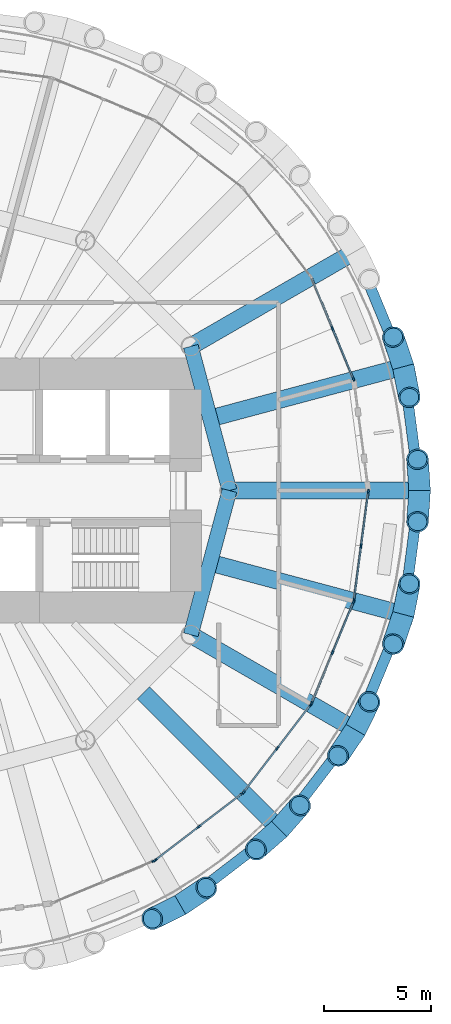
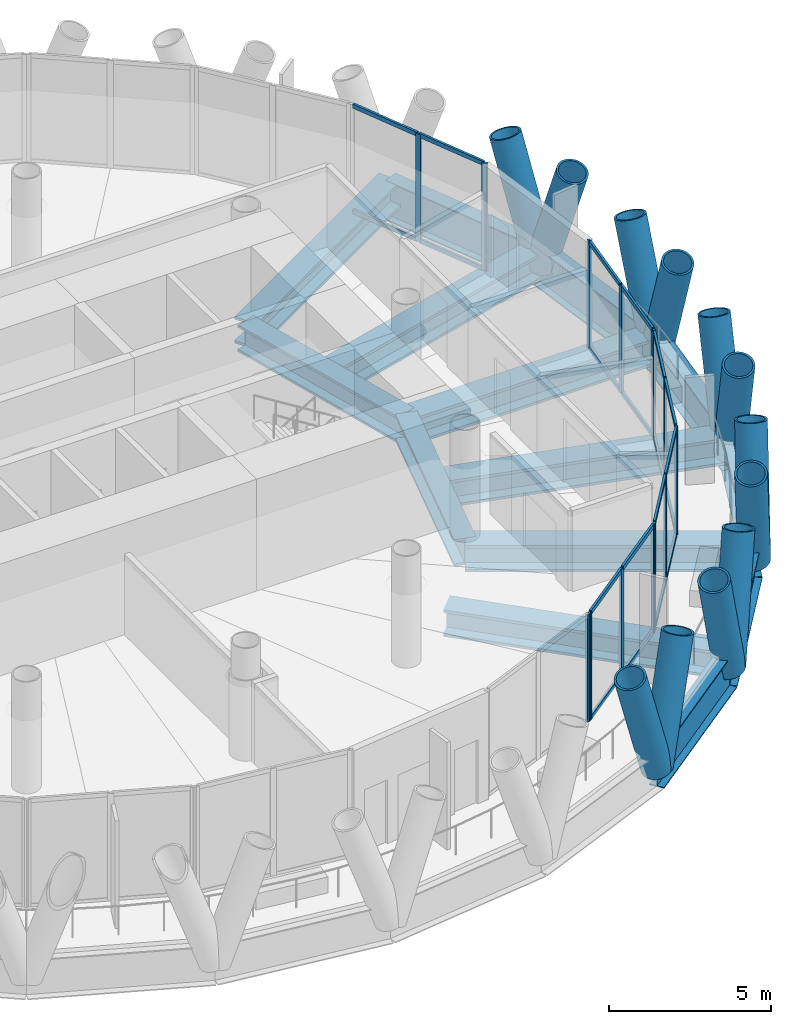
# One storey, part 4 of 13: 47 members, 14 beams, 6 elements without a shape of their own.
"""IFC4 building model written with IfcOpenShell, lengths in metres."""

from ifc_helpers import new_model, si_unit, direction, frame, origin, origin_2d, place, context, subcontext, project, spatial, rectangle, hollow_circle, i_section, extrude, material, material_profile, profile_set, type_object, element, aggregate, save


model = new_model("IFC4")

# Units and contexts
model_context = context("Model", 3, precision=1e-05, world=origin(), true_north=direction((0.0, 1.0)))
body_context = subcontext(model_context, "Body", "Model", "MODEL_VIEW")
ifc_project = project(units=[si_unit("LENGTHUNIT", "METRE"), si_unit("AREAUNIT", "SQUARE_METRE"), si_unit("VOLUMEUNIT", "CUBIC_METRE"), si_unit("PLANEANGLEUNIT", "RADIAN"), si_unit("MASSUNIT", "GRAM", prefix="KILO")], contexts=[model_context])

# Site, building, storey
site_placement = place(None, origin())
site = spatial("IfcSite", under=ifc_project, at=site_placement, CompositionType="ELEMENT")
building_placement = place(site_placement, origin())
building = spatial("IfcBuilding", under=site, at=building_placement, Name="Qaws Media Tower", CompositionType="ELEMENT")
storey_placement = place(building_placement, frame((0.0, 0.0, 244.39990234375)))
storey = spatial("IfcBuildingStorey", under=building, at=storey_placement, Name="L56", CompositionType="ELEMENT", Elevation=244.39990234375)

# Curtain wall, members
ifc_material_1 = material(Name="Aluminium and clear glass", Category="aluminium")
curtain_wall_type = type_object("IfcCurtainWallType", Name="Unitised curtain wall CW-C", PredefinedType="NOTDEFINED", material=ifc_material_1)
curtain_wall_1_placement = place(storey_placement, origin())
curtain_wall_1 = element("IfcCurtainWall", 1, at=curtain_wall_1_placement, inside=storey, type_object=curtain_wall_type, Name="CWC curtain wall L56-02", PredefinedType="NOTDEFINED")
ifc_material_2 = material(Name="Aluminium mullion", Category="aluminium")
ifc_material_profile_1 = material_profile(ifc_material_2, rectangle(XDim=0.080078125, YDim=0.199951171875, at=origin_2d()), Name="80x200")
ifc_profile_set_1 = profile_set([ifc_material_profile_1], Name="Aluminium mullion")
member_type_1 = type_object("IfcMemberType", Name="Curtain wall mullion 80x200", PredefinedType="MULLION", material=ifc_profile_set_1)
member_1_placement = place(storey_placement, frame((79.30322265625, 55.21337890625, 0.0), z_axis=(0.0, 0.0, 1.0), x_axis=(-0.923879492524, -0.382683528904, 0.0)))
member_1 = element("IfcMember", 2, at=member_1_placement, type_object=member_type_1, Name="CWC mullion 1", PredefinedType="MULLION", context=body_context, shape_type="SweptSolid", body=[
    extrude(rectangle(XDim=0.080078125, YDim=0.199951171875, at=origin_2d()), origin(), (0.0, 0.0, 1.0), 4.0400390625),
])
member_2_placement = place(storey_placement, frame((78.319580078125, 57.588134765625, 0.0), z_axis=(0.0, 0.0, 1.0), x_axis=(-0.923879492524, -0.382683528904, 0.0)))
member_2 = element("IfcMember", 3, at=member_2_placement, type_object=member_type_1, Name="CWC mullion 2", PredefinedType="MULLION", context=body_context, shape_type="SweptSolid", body=[
    extrude(rectangle(XDim=0.080078125, YDim=0.199951171875, at=origin_2d()), origin(), (0.0, 0.0, 1.0), 4.0400390625),
])

# Curtain wall, member
curtain_wall_2_placement = place(storey_placement, origin())
curtain_wall_2 = element("IfcCurtainWall", 4, at=curtain_wall_2_placement, inside=storey, type_object=curtain_wall_type, Name="CWC curtain wall L56-20", PredefinedType="NOTDEFINED")
member_3_placement = place(storey_placement, frame((69.963134765625, 32.664306640625, 0.0), z_axis=(0.0, 0.0, 1.0), x_axis=(-0.382683528904, 0.923879492524, 0.0)))
member_3 = element("IfcMember", 5, at=member_3_placement, type_object=member_type_1, Name="CWC mullion 3", PredefinedType="MULLION", context=body_context, shape_type="SweptSolid", body=[
    extrude(rectangle(XDim=0.080078125, YDim=0.199951171875, at=origin_2d()), origin(), (0.0, 0.0, 1.0), 4.0400390625),
])
aggregate(curtain_wall_2, [member_3])

# Curtain wall, members
curtain_wall_3_placement = place(storey_placement, origin())
curtain_wall_3 = element("IfcCurtainWall", 6, at=curtain_wall_3_placement, inside=storey, type_object=curtain_wall_type, Name="CWC curtain wall L56-21", PredefinedType="NOTDEFINED")
member_4_placement = place(storey_placement, frame((70.03173828125, 32.703857421875, 0.0), z_axis=(0.0, 0.0, 1.0), x_axis=(-0.608761339712, 0.793353408811, 0.0)))
member_4 = element("IfcMember", 7, at=member_4_placement, type_object=member_type_1, Name="CWC mullion 1", PredefinedType="MULLION", context=body_context, shape_type="SweptSolid", body=[
    extrude(rectangle(XDim=0.080078125, YDim=0.199951171875, at=origin_2d()), origin(), (0.0, 0.0, 1.0), 4.0400390625),
])
member_5_placement = place(storey_placement, frame((72.071044921875, 34.268798828125, 0.0), z_axis=(0.0, 0.0, 1.0), x_axis=(-0.608761339712, 0.793353408811, 0.0)))
member_5 = element("IfcMember", 8, at=member_5_placement, type_object=member_type_1, Name="CWC mullion 2", PredefinedType="MULLION", context=body_context, shape_type="SweptSolid", body=[
    extrude(rectangle(XDim=0.080078125, YDim=0.199951171875, at=origin_2d()), origin(), (0.0, 0.0, 1.0), 4.0400390625),
])
member_6_placement = place(storey_placement, frame((74.1103515625, 35.83349609375, 0.0), z_axis=(0.0, 0.0, 1.0), x_axis=(-0.608761339712, 0.793353408811, 0.0)))
member_6 = element("IfcMember", 9, at=member_6_placement, type_object=member_type_1, Name="CWC mullion 3", PredefinedType="MULLION", context=body_context, shape_type="SweptSolid", body=[
    extrude(rectangle(XDim=0.080078125, YDim=0.199951171875, at=origin_2d()), origin(), (0.0, 0.0, 1.0), 4.0400390625),
])

curtain_wall_4_placement = place(storey_placement, origin())
curtain_wall_4 = element("IfcCurtainWall", 10, at=curtain_wall_4_placement, inside=storey, type_object=curtain_wall_type, Name="CWC curtain wall L56-22", PredefinedType="NOTDEFINED")
member_7_placement = place(storey_placement, frame((74.16650390625, 35.8896484375, 0.0), z_axis=(0.0, 0.0, 1.0), x_axis=(-0.793353408811, 0.608761339712, 0.0)))
member_7 = element("IfcMember", 11, at=member_7_placement, type_object=member_type_1, Name="CWC mullion 1", PredefinedType="MULLION", context=body_context, shape_type="SweptSolid", body=[
    extrude(rectangle(XDim=0.080078125, YDim=0.199951171875, at=origin_2d()), origin(), (0.0, 0.0, 1.0), 4.0400390625),
])
member_8_placement = place(storey_placement, frame((75.731201171875, 37.928955078125, 0.0), z_axis=(0.0, 0.0, 1.0), x_axis=(-0.793353408811, 0.608761339712, 0.0)))
member_8 = element("IfcMember", 12, at=member_8_placement, type_object=member_type_1, Name="CWC mullion 2", PredefinedType="MULLION", context=body_context, shape_type="SweptSolid", body=[
    extrude(rectangle(XDim=0.080078125, YDim=0.199951171875, at=origin_2d()), origin(), (0.0, 0.0, 1.0), 4.0400390625),
])
member_9_placement = place(storey_placement, frame((77.296142578125, 39.96826171875, 0.0), z_axis=(0.0, 0.0, 1.0), x_axis=(-0.793353408811, 0.608761339712, 0.0)))
member_9 = element("IfcMember", 13, at=member_9_placement, type_object=member_type_1, Name="CWC mullion 3", PredefinedType="MULLION", context=body_context, shape_type="SweptSolid", body=[
    extrude(rectangle(XDim=0.080078125, YDim=0.199951171875, at=origin_2d()), origin(), (0.0, 0.0, 1.0), 4.0400390625),
])

curtain_wall_5_placement = place(storey_placement, origin())
curtain_wall_5 = element("IfcCurtainWall", 14, at=curtain_wall_5_placement, inside=storey, type_object=curtain_wall_type, Name="CWC curtain wall L56-23", PredefinedType="NOTDEFINED")
member_10_placement = place(storey_placement, frame((77.335693359375, 40.036865234375, 0.0), z_axis=(0.0, 0.0, 1.0), x_axis=(-0.923879492524, 0.382683528904, 0.0)))
member_10 = element("IfcMember", 15, at=member_10_placement, type_object=member_type_1, Name="CWC mullion 1", PredefinedType="MULLION", context=body_context, shape_type="SweptSolid", body=[
    extrude(rectangle(XDim=0.080078125, YDim=0.199951171875, at=origin_2d()), origin(), (0.0, 0.0, 1.0), 4.0400390625),
])
member_11_placement = place(storey_placement, frame((78.319580078125, 42.411865234375, 0.0), z_axis=(0.0, 0.0, 1.0), x_axis=(-0.923879492524, 0.382683528904, 0.0)))
member_11 = element("IfcMember", 16, at=member_11_placement, type_object=member_type_1, Name="CWC mullion 2", PredefinedType="MULLION", context=body_context, shape_type="SweptSolid", body=[
    extrude(rectangle(XDim=0.080078125, YDim=0.199951171875, at=origin_2d()), origin(), (0.0, 0.0, 1.0), 4.0400390625),
])
member_12_placement = place(storey_placement, frame((79.30322265625, 44.78662109375, 0.0), z_axis=(0.0, 0.0, 1.0), x_axis=(-0.923879492524, 0.382683528904, 0.0)))
member_12 = element("IfcMember", 17, at=member_12_placement, type_object=member_type_1, Name="CWC mullion 3", PredefinedType="MULLION", context=body_context, shape_type="SweptSolid", body=[
    extrude(rectangle(XDim=0.080078125, YDim=0.199951171875, at=origin_2d()), origin(), (0.0, 0.0, 1.0), 4.0400390625),
])

curtain_wall_6_placement = place(storey_placement, origin())
curtain_wall_6 = element("IfcCurtainWall", 18, at=curtain_wall_6_placement, inside=storey, type_object=curtain_wall_type, Name="CWC curtain wall L56-24", PredefinedType="NOTDEFINED")
member_13_placement = place(storey_placement, frame((79.32373046875, 44.86328125, 0.0), z_axis=(0.0, 0.0, 1.0), x_axis=(-0.991444873448, 0.130526100509, 0.0)))
member_13 = element("IfcMember", 19, at=member_13_placement, type_object=member_type_1, Name="CWC mullion 1", PredefinedType="MULLION", context=body_context, shape_type="SweptSolid", body=[
    extrude(rectangle(XDim=0.080078125, YDim=0.199951171875, at=origin_2d()), origin(), (0.0, 0.0, 1.0), 4.0400390625),
])
member_14_placement = place(storey_placement, frame((79.6591796875, 47.411865234375, 0.0), z_axis=(0.0, 0.0, 1.0), x_axis=(-0.991444873448, 0.130526100509, 0.0)))
member_14 = element("IfcMember", 20, at=member_14_placement, type_object=member_type_1, Name="CWC mullion 2", PredefinedType="MULLION", context=body_context, shape_type="SweptSolid", body=[
    extrude(rectangle(XDim=0.080078125, YDim=0.199951171875, at=origin_2d()), origin(), (0.0, 0.0, 1.0), 4.0400390625),
])
member_15_placement = place(storey_placement, frame((79.994873046875, 49.96044921875, 0.0), z_axis=(0.0, 0.0, 1.0), x_axis=(-0.991444873448, 0.130526100509, 0.0)))
member_15 = element("IfcMember", 21, at=member_15_placement, type_object=member_type_1, Name="CWC mullion 3", PredefinedType="MULLION", context=body_context, shape_type="SweptSolid", body=[
    extrude(rectangle(XDim=0.080078125, YDim=0.199951171875, at=origin_2d()), origin(), (0.0, 0.0, 1.0), 4.0400390625),
])

# Member
ifc_material_3 = material(Name="Aluminium transom", Category="aluminium")
ifc_material_profile_2 = material_profile(ifc_material_3, rectangle(XDim=0.080078125, YDim=0.159912109375, at=origin_2d()), Name="80x160")
ifc_profile_set_2 = profile_set([ifc_material_profile_2], Name="Aluminium transom")
member_type_2 = type_object("IfcMemberType", Name="Curtain wall transom 80x160", PredefinedType="USERDEFINED", material=ifc_profile_set_2)
member_16_placement = place(storey_placement, frame((79.287841796875, 55.250244140625, 0.0400390625), z_axis=(-0.382686542724, 0.923878244152, 0.0), x_axis=(-0.923878244152, -0.382686542724, 0.0)))
member_16 = element("IfcMember", 22, at=member_16_placement, type_object=member_type_2, Name="CWC transom 1.1", ObjectType="TRANSOM", PredefinedType="USERDEFINED", context=body_context, shape_type="SweptSolid", body=[
    extrude(rectangle(XDim=0.080078125, YDim=0.159912109375, at=origin_2d()), origin(), (0.0, 0.0, 1.0), 2.49072265625),
])

member_17_placement = place(storey_placement, frame((79.287841796875, 55.250244140625, 4.0), z_axis=(-0.382686542724, 0.923878244152, 0.0), x_axis=(-0.923878244152, -0.382686542724, 0.0)))
member_17 = element("IfcMember", 23, at=member_17_placement, type_object=member_type_2, Name="CWC transom 1.2", ObjectType="TRANSOM", PredefinedType="USERDEFINED", context=body_context, shape_type="SweptSolid", body=[
    extrude(rectangle(XDim=0.080078125, YDim=0.159912109375, at=origin_2d()), origin(), (0.0, 0.0, 1.0), 2.49072265625),
])

member_18_placement = place(storey_placement, frame((78.30419921875, 57.625244140625, 0.0400390625), z_axis=(-0.382721202621, 0.923863886655, 0.0), x_axis=(-0.923863886655, -0.382721202621, 0.0)))
member_18 = element("IfcMember", 24, at=member_18_placement, type_object=member_type_2, Name="CWC transom 2.1", ObjectType="TRANSOM", PredefinedType="USERDEFINED", context=body_context, shape_type="SweptSolid", body=[
    extrude(rectangle(XDim=0.080078125, YDim=0.159912109375, at=origin_2d()), origin(), (0.0, 0.0, 1.0), 2.490478515625),
])

member_19_placement = place(storey_placement, frame((78.30419921875, 57.625244140625, 4.0), z_axis=(-0.382721202621, 0.923863886655, 0.0), x_axis=(-0.923863886655, -0.382721202621, 0.0)))
member_19 = element("IfcMember", 25, at=member_19_placement, type_object=member_type_2, Name="CWC transom 2.2", ObjectType="TRANSOM", PredefinedType="USERDEFINED", context=body_context, shape_type="SweptSolid", body=[
    extrude(rectangle(XDim=0.080078125, YDim=0.159912109375, at=origin_2d()), origin(), (0.0, 0.0, 1.0), 2.490478515625),
])

aggregate(curtain_wall_1, [member_1, member_2, member_16, member_17, member_18, member_19])

member_20_placement = place(storey_placement, frame((70.0634765625, 32.728271484375, 0.0400390625), z_axis=(0.793352266217, 0.608762828767, 0.0), x_axis=(-0.608762828767, 0.793352266217, 0.0)))
member_20 = element("IfcMember", 26, at=member_20_placement, type_object=member_type_2, Name="CWC transom 1.1", ObjectType="TRANSOM", PredefinedType="USERDEFINED", context=body_context, shape_type="SweptSolid", body=[
    extrude(rectangle(XDim=0.080078125, YDim=0.159912109375, at=origin_2d()), origin(), (0.0, 0.0, 1.0), 2.490478515625),
])

member_21_placement = place(storey_placement, frame((70.0634765625, 32.728271484375, 4.0), z_axis=(0.793352266217, 0.608762828767, 0.0), x_axis=(-0.608762828767, 0.793352266217, 0.0)))
member_21 = element("IfcMember", 27, at=member_21_placement, type_object=member_type_2, Name="CWC transom 1.2", ObjectType="TRANSOM", PredefinedType="USERDEFINED", context=body_context, shape_type="SweptSolid", body=[
    extrude(rectangle(XDim=0.080078125, YDim=0.159912109375, at=origin_2d()), origin(), (0.0, 0.0, 1.0), 2.490478515625),
])

member_22_placement = place(storey_placement, frame((72.102783203125, 34.29296875, 0.0400390625), z_axis=(0.793352266217, 0.608762828767, 0.0), x_axis=(-0.608762828767, 0.793352266217, 0.0)))
member_22 = element("IfcMember", 28, at=member_22_placement, type_object=member_type_2, Name="CWC transom 2.1", ObjectType="TRANSOM", PredefinedType="USERDEFINED", context=body_context, shape_type="SweptSolid", body=[
    extrude(rectangle(XDim=0.080078125, YDim=0.159912109375, at=origin_2d()), origin(), (0.0, 0.0, 1.0), 2.490478515625),
])

member_23_placement = place(storey_placement, frame((72.102783203125, 34.29296875, 4.0), z_axis=(0.793352266217, 0.608762828767, 0.0), x_axis=(-0.608762828767, 0.793352266217, 0.0)))
member_23 = element("IfcMember", 29, at=member_23_placement, type_object=member_type_2, Name="CWC transom 2.2", ObjectType="TRANSOM", PredefinedType="USERDEFINED", context=body_context, shape_type="SweptSolid", body=[
    extrude(rectangle(XDim=0.080078125, YDim=0.159912109375, at=origin_2d()), origin(), (0.0, 0.0, 1.0), 2.490478515625),
])

aggregate(curtain_wall_3, [member_4, member_5, member_6, member_20, member_21, member_22, member_23])

member_24_placement = place(storey_placement, frame((74.19091796875, 35.92138671875, 0.0400390625), z_axis=(0.608762828767, 0.793352266217, 0.0), x_axis=(-0.793352266217, 0.608762828767, 0.0)))
member_24 = element("IfcMember", 30, at=member_24_placement, type_object=member_type_2, Name="CWC transom 1.1", ObjectType="TRANSOM", PredefinedType="USERDEFINED", context=body_context, shape_type="SweptSolid", body=[
    extrude(rectangle(XDim=0.080078125, YDim=0.159912109375, at=origin_2d()), origin(), (0.0, 0.0, 1.0), 2.490478515625),
])

member_25_placement = place(storey_placement, frame((74.19091796875, 35.92138671875, 4.0), z_axis=(0.608762828767, 0.793352266217, 0.0), x_axis=(-0.793352266217, 0.608762828767, 0.0)))
member_25 = element("IfcMember", 31, at=member_25_placement, type_object=member_type_2, Name="CWC transom 1.2", ObjectType="TRANSOM", PredefinedType="USERDEFINED", context=body_context, shape_type="SweptSolid", body=[
    extrude(rectangle(XDim=0.080078125, YDim=0.159912109375, at=origin_2d()), origin(), (0.0, 0.0, 1.0), 2.490478515625),
])

member_26_placement = place(storey_placement, frame((75.755615234375, 37.960693359375, 0.0400390625), z_axis=(0.608762828767, 0.793352266217, 0.0), x_axis=(-0.793352266217, 0.608762828767, 0.0)))
member_26 = element("IfcMember", 32, at=member_26_placement, type_object=member_type_2, Name="CWC transom 2.1", ObjectType="TRANSOM", PredefinedType="USERDEFINED", context=body_context, shape_type="SweptSolid", body=[
    extrude(rectangle(XDim=0.080078125, YDim=0.159912109375, at=origin_2d()), origin(), (0.0, 0.0, 1.0), 2.490478515625),
])

member_27_placement = place(storey_placement, frame((75.755615234375, 37.960693359375, 4.0), z_axis=(0.608762828767, 0.793352266217, 0.0), x_axis=(-0.793352266217, 0.608762828767, 0.0)))
member_27 = element("IfcMember", 33, at=member_27_placement, type_object=member_type_2, Name="CWC transom 2.2", ObjectType="TRANSOM", PredefinedType="USERDEFINED", context=body_context, shape_type="SweptSolid", body=[
    extrude(rectangle(XDim=0.080078125, YDim=0.159912109375, at=origin_2d()), origin(), (0.0, 0.0, 1.0), 2.490478515625),
])

aggregate(curtain_wall_4, [member_7, member_8, member_9, member_24, member_25, member_26, member_27])

member_28_placement = place(storey_placement, frame((77.35107421875, 40.073974609375, 0.0400390625), z_axis=(0.382721202621, 0.923863886655, 0.0), x_axis=(-0.923863886655, 0.382721202621, 0.0)))
member_28 = element("IfcMember", 34, at=member_28_placement, type_object=member_type_2, Name="CWC transom 1.1", ObjectType="TRANSOM", PredefinedType="USERDEFINED", context=body_context, shape_type="SweptSolid", body=[
    extrude(rectangle(XDim=0.080078125, YDim=0.159912109375, at=origin_2d()), origin(), (0.0, 0.0, 1.0), 2.490478515625),
])

member_29_placement = place(storey_placement, frame((77.35107421875, 40.073974609375, 4.0), z_axis=(0.382721202621, 0.923863886655, 0.0), x_axis=(-0.923863886655, 0.382721202621, 0.0)))
member_29 = element("IfcMember", 35, at=member_29_placement, type_object=member_type_2, Name="CWC transom 1.2", ObjectType="TRANSOM", PredefinedType="USERDEFINED", context=body_context, shape_type="SweptSolid", body=[
    extrude(rectangle(XDim=0.080078125, YDim=0.159912109375, at=origin_2d()), origin(), (0.0, 0.0, 1.0), 2.490478515625),
])

member_30_placement = place(storey_placement, frame((78.334716796875, 42.44873046875, 0.0400390625), z_axis=(0.382686542724, 0.923878244152, 0.0), x_axis=(-0.923878244152, 0.382686542724, 0.0)))
member_30 = element("IfcMember", 36, at=member_30_placement, type_object=member_type_2, Name="CWC transom 2.1", ObjectType="TRANSOM", PredefinedType="USERDEFINED", context=body_context, shape_type="SweptSolid", body=[
    extrude(rectangle(XDim=0.080078125, YDim=0.159912109375, at=origin_2d()), origin(), (0.0, 0.0, 1.0), 2.49072265625),
])

member_31_placement = place(storey_placement, frame((78.334716796875, 42.44873046875, 4.0), z_axis=(0.382686542724, 0.923878244152, 0.0), x_axis=(-0.923878244152, 0.382686542724, 0.0)))
member_31 = element("IfcMember", 37, at=member_31_placement, type_object=member_type_2, Name="CWC transom 2.2", ObjectType="TRANSOM", PredefinedType="USERDEFINED", context=body_context, shape_type="SweptSolid", body=[
    extrude(rectangle(XDim=0.080078125, YDim=0.159912109375, at=origin_2d()), origin(), (0.0, 0.0, 1.0), 2.49072265625),
])

aggregate(curtain_wall_5, [member_10, member_11, member_12, member_28, member_29, member_30, member_31])

member_32_placement = place(storey_placement, frame((79.328857421875, 44.90283203125, 0.0400390625), z_axis=(0.130571155736, 0.991438940777, 0.0), x_axis=(-0.991438940777, 0.130571155736, 0.0)))
member_32 = element("IfcMember", 38, at=member_32_placement, type_object=member_type_2, Name="CWC transom 1.1", ObjectType="TRANSOM", PredefinedType="USERDEFINED", context=body_context, shape_type="SweptSolid", body=[
    extrude(rectangle(XDim=0.080078125, YDim=0.159912109375, at=origin_2d()), origin(), (0.0, 0.0, 1.0), 2.490478515625),
])

member_33_placement = place(storey_placement, frame((79.328857421875, 44.90283203125, 4.0), z_axis=(0.130571155736, 0.991438940777, 0.0), x_axis=(-0.991438940777, 0.130571155736, 0.0)))
member_33 = element("IfcMember", 39, at=member_33_placement, type_object=member_type_2, Name="CWC transom 1.2", ObjectType="TRANSOM", PredefinedType="USERDEFINED", context=body_context, shape_type="SweptSolid", body=[
    extrude(rectangle(XDim=0.080078125, YDim=0.159912109375, at=origin_2d()), origin(), (0.0, 0.0, 1.0), 2.490478515625),
])

member_34_placement = place(storey_placement, frame((79.66455078125, 47.451416015625, 0.0400390625), z_axis=(0.130474798728, 0.9914516261, 0.0), x_axis=(-0.9914516261, 0.130474798728, 0.0)))
member_34 = element("IfcMember", 40, at=member_34_placement, type_object=member_type_2, Name="CWC transom 2.1", ObjectType="TRANSOM", PredefinedType="USERDEFINED", context=body_context, shape_type="SweptSolid", body=[
    extrude(rectangle(XDim=0.080078125, YDim=0.159912109375, at=origin_2d()), origin(), (0.0, 0.0, 1.0), 2.490478515625),
])

member_35_placement = place(storey_placement, frame((79.66455078125, 47.451416015625, 4.0), z_axis=(0.130474798728, 0.9914516261, 0.0), x_axis=(-0.9914516261, 0.130474798728, 0.0)))
member_35 = element("IfcMember", 41, at=member_35_placement, type_object=member_type_2, Name="CWC transom 2.2", ObjectType="TRANSOM", PredefinedType="USERDEFINED", context=body_context, shape_type="SweptSolid", body=[
    extrude(rectangle(XDim=0.080078125, YDim=0.159912109375, at=origin_2d()), origin(), (0.0, 0.0, 1.0), 2.490478515625),
])

aggregate(curtain_wall_6, [member_13, member_14, member_15, member_32, member_33, member_34, member_35])

# Members
ifc_material_4 = material(Name="Steel S460", Category="steel")
ifc_material_profile_3 = material_profile(ifc_material_4, hollow_circle(Radius=0.508056640625, WallThickness=0.070068359375, at=origin_2d()), Name="CHS 1016x70")
ifc_profile_set_3 = profile_set([ifc_material_profile_3], Name="Steel S460")
member_type_3 = type_object("IfcMemberType", Name="Diagrid member CHS 1016x70", PredefinedType="USERDEFINED", material=ifc_profile_set_3)
for number, where, z_axis, x_axis, name in (
    (42, (82.39990234375, 50.0, -0.909912109375), (-0.021954591968, 0.328605355286, 0.944212114077), (-0.997775561029, -0.066662806817, 0.0), "DG3 diagrid L56 A01"),
    (43, (82.39990234375, 50.0, -0.909912109375), (-0.021954591968, -0.328605355286, 0.944212114077), (0.997775561029, -0.066662806817, 0.0), "DG3 diagrid L56 B01"),
    (44, (81.63671875, 55.797607421875, -0.909912109375), (-0.106315297208, 0.311700863625, 0.944213762447), (-0.946460433523, -0.322819837953, 0.0), "DG3 diagrid L56 A02"),
):
    element("IfcMember", number, at=place(storey_placement, frame(where, z_axis=z_axis, x_axis=x_axis)), inside=storey, type_object=member_type_3, Name=name, ObjectType="DIAGRID", PredefinedType="USERDEFINED", context=body_context, shape_type="SweptSolid", body=[
        extrude(hollow_circle(Radius=0.508056640625, WallThickness=0.070068359375, at=origin_2d()), origin(), (0.0, 0.0, 1.0), 4.447998046875),
    ])
for number, where, z_axis, x_axis, name in (
    (45, (81.63671875, 55.797607421875, -0.909912109375), (0.063832479158, -0.323114191577, 0.944204762647), (0.981039439551, 0.193808199116, 0.0), "DG3 diagrid L56 B02"),
    (46, (71.199951171875, 30.60107421875, -0.909912109375), (0.273605666565, 0.183373426679, 0.944200257155), (-0.556736639669, 0.830689059787, 0.0), "DG3 diagrid L56 A21"),
):
    element("IfcMember", number, at=place(storey_placement, frame(where, z_axis=z_axis, x_axis=x_axis)), inside=storey, type_object=member_type_3, Name=name, ObjectType="DIAGRID", PredefinedType="USERDEFINED", context=body_context, shape_type="SweptSolid", body=[
        extrude(hollow_circle(Radius=0.508056640625, WallThickness=0.070068359375, at=origin_2d()), origin(), (0.0, 0.0, 1.0), 4.4482421875),
    ])
member_36_placement = place(storey_placement, frame((71.199951171875, 30.60107421875, -0.909912109375), z_axis=(-0.295563398318, -0.145284366824, 0.944211168294), x_axis=(0.441137050209, -0.897439748915, 0.0)))
element("IfcMember", 47, at=member_36_placement, inside=storey, type_object=member_type_3, Name="DG3 diagrid L56 B21", ObjectType="DIAGRID", PredefinedType="USERDEFINED", context=body_context, shape_type="SweptSolid", body=[
    extrude(hollow_circle(Radius=0.508056640625, WallThickness=0.070068359375, at=origin_2d()), origin(), (0.0, 0.0, 1.0), 4.447998046875),
])
for number, where, z_axis, x_axis, name in (
    (48, (75.839111328125, 34.160888671875, -0.909912109375), (0.216853372267, 0.247918674394, 0.944198573301), (-0.752690231252, 0.65837482924, 0.0), "DG3 diagrid L56 A22"),
    (49, (75.839111328125, 34.160888671875, -0.909912109375), (-0.247918674394, -0.216853372267, 0.944198573301), (0.65837482924, -0.752690231252, 0.0), "DG3 diagrid L56 B22"),
):
    element("IfcMember", number, at=place(storey_placement, frame(where, z_axis=z_axis, x_axis=x_axis)), inside=storey, type_object=member_type_3, Name=name, ObjectType="DIAGRID", PredefinedType="USERDEFINED", context=body_context, shape_type="SweptSolid", body=[
        extrude(hollow_circle(Radius=0.508056640625, WallThickness=0.070068359375, at=origin_2d()), origin(), (0.0, 0.0, 1.0), 4.4482421875),
    ])
member_37_placement = place(storey_placement, frame((79.39892578125, 38.800048828125, -0.909912109375), z_axis=(0.145284366824, 0.295563398318, 0.944211168294), x_axis=(-0.897439748915, 0.441137050209, 0.0)))
element("IfcMember", 50, at=member_37_placement, inside=storey, type_object=member_type_3, Name="DG3 diagrid L56 A23", ObjectType="DIAGRID", PredefinedType="USERDEFINED", context=body_context, shape_type="SweptSolid", body=[
    extrude(hollow_circle(Radius=0.508056640625, WallThickness=0.070068359375, at=origin_2d()), origin(), (0.0, 0.0, 1.0), 4.447998046875),
])
for number, where, z_axis, x_axis, name in (
    (51, (79.39892578125, 38.800048828125, -0.909912109375), (-0.183373426679, -0.273605666565, 0.944200257155), (0.830689059787, -0.556736639669, 0.0), "DG3 diagrid L56 B23"),
    (52, (81.63671875, 44.202392578125, -0.909912109375), (0.063832479158, 0.323114191577, 0.944204762647), (-0.981039439551, 0.193808199116, 0.0), "DG3 diagrid L56 A24"),
):
    element("IfcMember", number, at=place(storey_placement, frame(where, z_axis=z_axis, x_axis=x_axis)), inside=storey, type_object=member_type_3, Name=name, ObjectType="DIAGRID", PredefinedType="USERDEFINED", context=body_context, shape_type="SweptSolid", body=[
        extrude(hollow_circle(Radius=0.508056640625, WallThickness=0.070068359375, at=origin_2d()), origin(), (0.0, 0.0, 1.0), 4.4482421875),
    ])
member_38_placement = place(storey_placement, frame((81.63671875, 44.202392578125, -0.909912109375), z_axis=(-0.106315297208, -0.311700863625, 0.944213762447), x_axis=(0.946460433523, -0.322819837953, 0.0)))
element("IfcMember", 53, at=member_38_placement, inside=storey, type_object=member_type_3, Name="DG3 diagrid L56 B24", ObjectType="DIAGRID", PredefinedType="USERDEFINED", context=body_context, shape_type="SweptSolid", body=[
    extrude(hollow_circle(Radius=0.508056640625, WallThickness=0.070068359375, at=origin_2d()), origin(), (0.0, 0.0, 1.0), 4.447998046875),
])

# Beams
ifc_material_5 = material(Name="Steel S460", Category="steel")
ifc_material_profile_4 = material_profile(ifc_material_5, i_section(OverallWidth=0.5, OverallDepth=1.5, WebThickness=0.02001953125, FlangeThickness=0.0400390625, at=origin_2d()), Name="PG 1500x500")
ifc_profile_set_4 = profile_set([ifc_material_profile_4], Name="Steel S460")
beam_type_1 = type_object("IfcBeamType", Name="Edge ring beam PG 1500x500", PredefinedType="BEAM", material=ifc_profile_set_4)
beam_1_placement = place(storey_placement, frame((82.39990234375, 50.0, -0.909912109375), z_axis=(-0.130511752182, 0.991446762334, 0.0), x_axis=(-0.991446762334, -0.130511752182, 0.0)))
element("IfcBeam", 54, at=beam_1_placement, inside=storey, type_object=beam_type_1, Name="RB4 edge ring beam L56-01", PredefinedType="BEAM", context=body_context, shape_type="SweptSolid", body=[
    extrude(i_section(OverallWidth=0.5, OverallDepth=1.5, WebThickness=0.02001953125, FlangeThickness=0.0400390625, at=origin_2d()), origin(), (0.0, 0.0, 1.0), 5.84765625),
])
beam_2_placement = place(storey_placement, frame((81.63671875, 55.797607421875, -0.909912109375), z_axis=(-0.382693492394, 0.923875365447, 0.0), x_axis=(-0.923875365447, -0.382693492394, 0.0)))
element("IfcBeam", 55, at=beam_2_placement, inside=storey, type_object=beam_type_1, Name="RB4 edge ring beam L56-02", PredefinedType="BEAM", context=body_context, shape_type="SweptSolid", body=[
    extrude(i_section(OverallWidth=0.5, OverallDepth=1.5, WebThickness=0.02001953125, FlangeThickness=0.0400390625, at=origin_2d()), origin(), (0.0, 0.0, 1.0), 5.847412109375),
])
for number, where, z_axis, x_axis, name in (
    (56, (71.199951171875, 30.60107421875, -0.909912109375), (0.793348247333, 0.608768066223, 0.0), (-0.608768066223, 0.793348247333, 0.0), "RB4 edge ring beam L56-21"),
    (57, (75.839111328125, 34.160888671875, -0.909912109375), (0.608768066223, 0.793348247333, 0.0), (-0.793348247333, 0.608768066223, 0.0), "RB4 edge ring beam L56-22"),
):
    element("IfcBeam", number, at=place(storey_placement, frame(where, z_axis=z_axis, x_axis=x_axis)), inside=storey, type_object=beam_type_1, Name=name, PredefinedType="BEAM", context=body_context, shape_type="SweptSolid", body=[
        extrude(i_section(OverallWidth=0.5, OverallDepth=1.5, WebThickness=0.02001953125, FlangeThickness=0.0400390625, at=origin_2d()), origin(), (0.0, 0.0, 1.0), 5.84765625),
    ])
beam_3_placement = place(storey_placement, frame((79.39892578125, 38.800048828125, -0.909912109375), z_axis=(0.382693492394, 0.923875365447, 0.0), x_axis=(-0.923875365447, 0.382693492394, 0.0)))
element("IfcBeam", 58, at=beam_3_placement, inside=storey, type_object=beam_type_1, Name="RB4 edge ring beam L56-23", PredefinedType="BEAM", context=body_context, shape_type="SweptSolid", body=[
    extrude(i_section(OverallWidth=0.5, OverallDepth=1.5, WebThickness=0.02001953125, FlangeThickness=0.0400390625, at=origin_2d()), origin(), (0.0, 0.0, 1.0), 5.847412109375),
])
beam_4_placement = place(storey_placement, frame((81.63671875, 44.202392578125, -0.909912109375), z_axis=(0.130511752182, 0.991446762334, 0.0), x_axis=(-0.991446762334, 0.130511752182, 0.0)))
element("IfcBeam", 59, at=beam_4_placement, inside=storey, type_object=beam_type_1, Name="RB4 edge ring beam L56-24", PredefinedType="BEAM", context=body_context, shape_type="SweptSolid", body=[
    extrude(i_section(OverallWidth=0.5, OverallDepth=1.5, WebThickness=0.02001953125, FlangeThickness=0.0400390625, at=origin_2d()), origin(), (0.0, 0.0, 1.0), 5.84765625),
])
ifc_material_6 = material(Name="Steel S460", Category="steel")
ifc_material_profile_5 = material_profile(ifc_material_6, i_section(OverallWidth=0.699951171875, OverallDepth=1.0, WebThickness=0.034912109375, FlangeThickness=0.090087890625, at=origin_2d()), Name="PG 1000x700")
ifc_profile_set_5 = profile_set([ifc_material_profile_5], Name="Steel S460")
beam_type_2 = type_object("IfcBeamType", Name="Inner ring girder PG 1000x700", PredefinedType="BEAM", material=ifc_profile_set_5)
for number, where, z_axis, x_axis, name in (
    (60, (73.5, 50.0, -0.659912109375), (-0.258810593767, 0.965928090778, 0.0), (-0.965928090778, -0.258810593767, 0.0), "B3 inner ring beam L56 I01-I02"),
    (61, (71.69140625, 43.25, -0.659912109375), (0.258810593767, 0.965928090778, 0.0), (-0.965928090778, 0.258810593767, 0.0), "B3 inner ring beam L56 I12-I01"),
):
    element("IfcBeam", number, at=place(storey_placement, frame(where, z_axis=z_axis, x_axis=x_axis)), inside=storey, type_object=beam_type_2, Name=name, PredefinedType="BEAM", context=body_context, shape_type="SweptSolid", body=[
        extrude(i_section(OverallWidth=0.699951171875, OverallDepth=1.0, WebThickness=0.034912109375, FlangeThickness=0.090087890625, at=origin_2d()), origin(), (0.0, 0.0, 1.0), 6.988037109375),
    ])
ifc_material_7 = material(Name="Steel S460", Category="steel")
ifc_material_profile_6 = material_profile(ifc_material_7, i_section(OverallWidth=0.800048828125, OverallDepth=1.0, WebThickness=0.0400390625, FlangeThickness=0.10009765625, at=origin_2d()), Name="PG 1000x800")
ifc_profile_set_6 = profile_set([ifc_material_profile_6], Name="Steel S460")
beam_type_3 = type_object("IfcBeamType", Name="Radial girder PG 1000x800", PredefinedType="BEAM", material=ifc_profile_set_6)
beam_5_placement = place(storey_placement, frame((73.5, 50.0, -0.659912109375), z_axis=(1.0, 0.0, 0.0), x_axis=(0.0, 1.0, 0.0)))
element("IfcBeam", 62, at=beam_5_placement, inside=storey, type_object=beam_type_3, Name="B1 radial beam L56 01", PredefinedType="BEAM", context=body_context, shape_type="SweptSolid", body=[
    extrude(i_section(OverallWidth=0.800048828125, OverallDepth=1.0, WebThickness=0.0400390625, FlangeThickness=0.10009765625, at=origin_2d()), origin(), (0.0, 0.0, 1.0), 8.89990234375),
])
beam_6_placement = place(storey_placement, frame((72.933837890625, 53.465576171875, -0.659912109375), z_axis=(0.965923013998, 0.258829540486, 0.0), x_axis=(-0.258829540486, 0.965923013998, 0.0)))
element("IfcBeam", 63, at=beam_6_placement, inside=storey, type_object=beam_type_3, Name="B1 radial beam L56 02", PredefinedType="BEAM", context=body_context, shape_type="SweptSolid", body=[
    extrude(i_section(OverallWidth=0.800048828125, OverallDepth=1.0, WebThickness=0.0400390625, FlangeThickness=0.10009765625, at=origin_2d()), origin(), (0.0, 0.0, 1.0), 9.010009765625),
])
beam_7_placement = place(storey_placement, frame((71.69140625, 56.75, -0.659912109375), z_axis=(0.866024786089, 0.500001069878, 0.0), x_axis=(-0.500001069878, 0.866024786089, 0.0)))
element("IfcBeam", 64, at=beam_7_placement, inside=storey, type_object=beam_type_3, Name="B1 radial beam L56 03", PredefinedType="BEAM", context=body_context, shape_type="SweptSolid", body=[
    extrude(i_section(OverallWidth=0.800048828125, OverallDepth=1.0, WebThickness=0.0400390625, FlangeThickness=0.10009765625, at=origin_2d()), origin(), (0.0, 0.0, 1.0), 8.89990234375),
])
beam_8_placement = place(storey_placement, frame((69.46826171875, 40.53173828125, -0.659912109375), z_axis=(0.707106781187, -0.707106781187, 0.0), x_axis=(0.707106781187, 0.707106781187, 0.0)))
element("IfcBeam", 65, at=beam_8_placement, inside=storey, type_object=beam_type_3, Name="B1 radial beam L56 22", PredefinedType="BEAM", context=body_context, shape_type="SweptSolid", body=[
    extrude(i_section(OverallWidth=0.800048828125, OverallDepth=1.0, WebThickness=0.0400390625, FlangeThickness=0.10009765625, at=origin_2d()), origin(), (0.0, 0.0, 1.0), 9.009765625),
])
beam_9_placement = place(storey_placement, frame((71.69140625, 43.25, -0.659912109375), z_axis=(0.866024786089, -0.500001069878, 0.0), x_axis=(0.500001069878, 0.866024786089, 0.0)))
element("IfcBeam", 66, at=beam_9_placement, inside=storey, type_object=beam_type_3, Name="B1 radial beam L56 23", PredefinedType="BEAM", context=body_context, shape_type="SweptSolid", body=[
    extrude(i_section(OverallWidth=0.800048828125, OverallDepth=1.0, WebThickness=0.0400390625, FlangeThickness=0.10009765625, at=origin_2d()), origin(), (0.0, 0.0, 1.0), 8.89990234375),
])
beam_10_placement = place(storey_placement, frame((72.933837890625, 46.534423828125, -0.659912109375), z_axis=(0.965923013998, -0.258829540486, 0.0), x_axis=(0.258829540486, 0.965923013998, 0.0)))
element("IfcBeam", 67, at=beam_10_placement, inside=storey, type_object=beam_type_3, Name="B1 radial beam L56 24", PredefinedType="BEAM", context=body_context, shape_type="SweptSolid", body=[
    extrude(i_section(OverallWidth=0.800048828125, OverallDepth=1.0, WebThickness=0.0400390625, FlangeThickness=0.10009765625, at=origin_2d()), origin(), (0.0, 0.0, 1.0), 9.010009765625),
])

save(model, "model.ifc")
